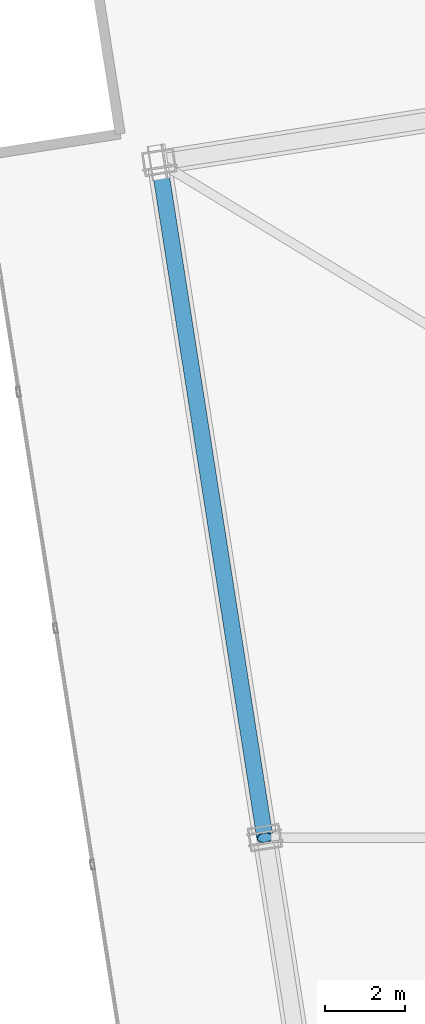
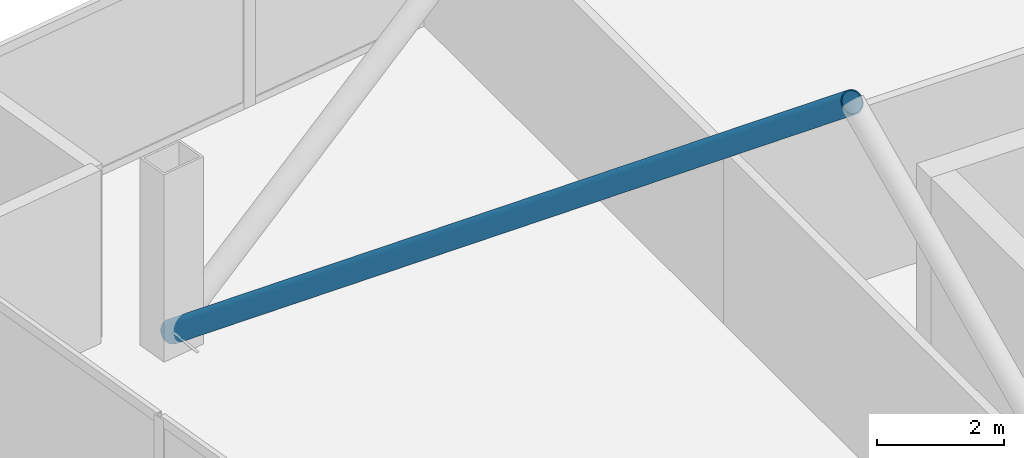
# One storey, part 7 of 21: 1 member.
"""IFC4 building model written with IfcOpenShell, lengths in metres."""

import ifcopenshell
import ifcopenshell.guid

model = None  # the IFC model being written
_history = None  # IfcOwnerHistory: only IFC2X3 demands one
_inside = {}  # id of a spatial element -> (the spatial element, [elements in it])
_under = {}  # id of a project, library or spatial element -> (it, [spatial elements below it])
_declared = {}  # id of a project -> (the project, [libraries it declares])
_typed = {}  # id of a type object -> (the type object, [elements of that type])
_made_of = {}  # id of a material, layer set ... -> (it, [elements and type objects made of it])


def new_model(schema):
    """Start an empty IFC model of exactly this schema.

    Asked for "IFC4X3", IfcOpenShell would pick the latest addendum, in which some entities
    have other attributes; the version numbers below select the first issue.
    IFC2X3 requires an IfcOwnerHistory on every rooted entity: one is made here for all.
    """
    global model, _history
    if schema == "IFC4X3":
        model = ifcopenshell.file(schema_version=(4, 3, 0, 0))
    else:
        model = ifcopenshell.file(schema=schema)
    _inside.clear()
    _under.clear()
    _declared.clear()
    _typed.clear()
    _made_of.clear()
    _history = None
    if model.schema == "IFC2X3":
        org = make("IfcOrganization", Name="unknown")
        user = make(
            "IfcPersonAndOrganization",
            ThePerson=make("IfcPerson", FamilyName="unknown"),
            TheOrganization=org,
        )
        app = make(
            "IfcApplication",
            ApplicationDeveloper=org,
            Version="unknown",
            ApplicationFullName="unknown",
            ApplicationIdentifier="unknown",
        )
        _history = make(
            "IfcOwnerHistory",
            OwningUser=user,
            OwningApplication=app,
            ChangeAction="ADDED",
            CreationDate=0,
        )
    return model


def make(cls, **values):
    """One entity of the class cls with the attributes given. An attribute that is None is left unset."""
    return model.create_entity(
        cls, **{name: value for name, value in values.items() if value is not None}
    )


def rooted(cls, **values):
    """An entity with a GlobalId (a new one), such as an element, a storey or a relation."""
    return make(cls, GlobalId=ifcopenshell.guid.new(), OwnerHistory=_history, **values)


def si_unit(unit_type, name, prefix=None):
    """IfcSIUnit, for example si_unit("LENGTHUNIT", "METRE", prefix="MILLI")."""
    return make("IfcSIUnit", UnitType=unit_type, Prefix=prefix, Name=name)


def assignment(units):
    """IfcUnitAssignment: the units of a project."""
    return None if units is None else make("IfcUnitAssignment", Units=units)


def point(xyz):
    """IfcCartesianPoint."""
    return None if xyz is None else make("IfcCartesianPoint", Coordinates=xyz)


def direction(xyz):
    """IfcDirection."""
    return None if xyz is None else make("IfcDirection", DirectionRatios=xyz)


def frame(location, z_axis=None, x_axis=None):
    """IfcAxis2Placement3D, a coordinate frame: its origin and axes. An axis left out is left unset."""
    return make(
        "IfcAxis2Placement3D",
        Location=point(location),
        Axis=direction(z_axis),
        RefDirection=direction(x_axis),
    )


def frame_2d(location, x_axis=None):
    """IfcAxis2Placement2D, a coordinate frame in the plane: its origin and x axis."""
    return make(
        "IfcAxis2Placement2D", Location=point(location), RefDirection=direction(x_axis)
    )


def origin():
    """The frame at (0, 0, 0) with its axes left unset."""
    return frame((0.0, 0.0, 0.0))


def origin_2d():
    """The frame at (0, 0) in the plane with its x axis left unset."""
    return frame_2d((0.0, 0.0))


def place(relative_to, where):
    """IfcLocalPlacement: puts the frame where relative to a parent placement (None: the world)."""
    return make(
        "IfcLocalPlacement", PlacementRelTo=relative_to, RelativePlacement=where
    )


def context(
    kind, dimensions, precision=None, world=None, true_north=None, identifier=None
):
    """IfcGeometricRepresentationContext, for example the 3D "Model" context."""
    return make(
        "IfcGeometricRepresentationContext",
        ContextIdentifier=identifier,
        ContextType=kind,
        CoordinateSpaceDimension=dimensions,
        Precision=precision,
        WorldCoordinateSystem=world,
        TrueNorth=true_north,
    )


def subcontext(parent, identifier, kind, view, scale=None):
    """IfcGeometricRepresentationSubContext, for example "Body" below "Model"."""
    return make(
        "IfcGeometricRepresentationSubContext",
        ContextIdentifier=identifier,
        ContextType=kind,
        ParentContext=parent,
        TargetScale=scale,
        TargetView=view,
    )


def project(units=None, contexts=None):
    """IfcProject with its units and contexts."""
    return rooted(
        "IfcProject",
        Name="project",
        RepresentationContexts=contexts,
        UnitsInContext=assignment(units),
    )


def spatial(cls, under=None, at=None, **own):
    """A site, building, storey or space (cls), placed at a placement, below another one or the project."""
    s = rooted(cls, ObjectPlacement=at, **own)
    if under is not None:
        _under.setdefault(under.id(), (under, []))[1].append(s)
    return s


def profile(cls, at=None, kind="AREA", **sizes):
    """A parametric profile (cls). Its sizes go by their IFC names, for example OverallWidth=200.0."""
    return make(cls, ProfileType=kind, Position=at, **sizes)


def hollow_circle(**sizes):
    """IfcCircleHollowProfileDef."""
    return profile("IfcCircleHollowProfileDef", **sizes)


def extrude(swept, where, along, depth):
    """IfcExtrudedAreaSolid: the profile swept, set in the frame where, extruded along a direction by depth."""
    return make(
        "IfcExtrudedAreaSolid",
        SweptArea=swept,
        Position=where,
        ExtrudedDirection=direction(along),
        Depth=depth,
    )


def shape(context_of_items, identifier, shape_type, items):
    """IfcShapeRepresentation: the items that make up one representation, for example the "Body"."""
    return make(
        "IfcShapeRepresentation",
        ContextOfItems=context_of_items,
        RepresentationIdentifier=identifier,
        RepresentationType=shape_type,
        Items=items,
    )


def material(Name=None, Category=None):
    """IfcMaterial."""
    return make("IfcMaterial", Name=Name, Category=Category)


def material_profile(
    of_material, cross_section, Name=None, Category=None, Priority=None
):
    """IfcMaterialProfile: a cross section and its material."""
    return make(
        "IfcMaterialProfile",
        Name=Name,
        Material=of_material,
        Profile=cross_section,
        Priority=Priority,
        Category=Category,
    )


def profile_set(profiles, Name=None, composite=None):
    """IfcMaterialProfileSet."""
    return make(
        "IfcMaterialProfileSet",
        Name=Name,
        MaterialProfiles=profiles,
        CompositeProfile=composite,
    )


def made_of(thing, what):
    """Note that an element or type object is made of a material, layer set ...; save() writes the relation."""
    if what is not None:
        _made_of.setdefault(what.id(), (what, []))[1].append(thing)
    return thing


def type_object(cls, material=None, **own):
    """A type object (cls), such as IfcWallType, which elements share."""
    return made_of(rooted(cls, **own), material)


def element(
    cls,
    number,
    at=None,
    inside=None,
    cuts=None,
    type_object=None,
    material=None,
    context=None,
    identifier="Body",
    shape_type=None,
    held_by="IfcProductDefinitionShape",
    body=None,
    shapes=None,
    **own,
):
    """One element of the class cls, such as IfcWall. Its Tag is "e" and its number.

    at: its placement. inside: the storey or other place that contains it. cuts: it is an
    opening in that element (IfcRelVoidsElement). A single representation is given by context,
    identifier, shape_type and body (its items); several are given by shapes. held_by: the class
    of the entity that holds the representations. save() writes the other relations.
    """
    e = rooted(cls, Tag="e%d" % number, ObjectPlacement=at, **own)
    if body is not None:
        shapes = [shape(context, identifier, shape_type, body)]
    if shapes is not None:
        e.Representation = make(held_by, Representations=shapes)
    if inside is not None:
        _inside.setdefault(inside.id(), (inside, []))[1].append(e)
    if cuts is not None:
        rooted(
            "IfcRelVoidsElement", RelatingBuildingElement=cuts, RelatedOpeningElement=e
        )
    if type_object is not None:
        _typed.setdefault(type_object.id(), (type_object, []))[1].append(e)
    return made_of(e, material)


def aggregate(whole, parts):
    """IfcRelAggregates: a whole, such as a stair, and the parts it consists of."""
    return rooted("IfcRelAggregates", RelatingObject=whole, RelatedObjects=parts)


def save(model, path):
    """Write the relations noted so far, then the file.

    IfcRelAggregates (storeys below a building ...), IfcRelContainedInSpatialStructure (elements
    in a storey), IfcRelDefinesByType, IfcRelAssociatesMaterial and IfcRelDeclares: one each for
    every whole, place, type object, material and project.
    """
    for whole, parts in _under.values():
        aggregate(whole, parts)
    for where, things in _inside.values():
        rooted(
            "IfcRelContainedInSpatialStructure",
            RelatedElements=things,
            RelatingStructure=where,
        )
    for kind, things in _typed.values():
        rooted("IfcRelDefinesByType", RelatedObjects=things, RelatingType=kind)
    for what, things in _made_of.values():
        rooted("IfcRelAssociatesMaterial", RelatedObjects=things, RelatingMaterial=what)
    for by, libraries in _declared.values():
        rooted("IfcRelDeclares", RelatingContext=by, RelatedDefinitions=libraries)
    model.write(path)


model = new_model("IFC4")

# Units and contexts
model_context = context("Model", 3, precision=1e-05, world=origin(), true_north=direction((0.0, 1.0)))
body_context = subcontext(model_context, "Body", "Model", "MODEL_VIEW")
ifc_project = project(units=[si_unit("LENGTHUNIT", "METRE"), si_unit("AREAUNIT", "SQUARE_METRE"), si_unit("VOLUMEUNIT", "CUBIC_METRE"), si_unit("PLANEANGLEUNIT", "RADIAN"), si_unit("MASSUNIT", "GRAM", prefix="KILO")], contexts=[model_context])

# Site, building, storey
site_placement = place(None, origin())
site = spatial("IfcSite", under=ifc_project, at=site_placement, CompositionType="ELEMENT")
building_placement = place(site_placement, origin())
building = spatial("IfcBuilding", under=site, at=building_placement, Name="Haldenkirk Collegiate Tower", CompositionType="ELEMENT")
storey_placement = place(building_placement, frame((0.0, 0.0, 360.60009765625)))
storey = spatial("IfcBuildingStorey", under=building, at=storey_placement, Name="L91", CompositionType="ELEMENT", Elevation=360.60009765625)

# Member
ifc_material = material(Name="Steel ASTM A572 Grade 50", Category="steel")
ifc_material_profile = material_profile(ifc_material, hollow_circle(Radius=0.202880859375, WallThickness=0.02001953125, at=origin_2d()), Name="CHS406X20")
ifc_profile_set = profile_set([ifc_material_profile], Name="Steel ASTM A572 Grade 50")
member_type = type_object("IfcMemberType", Name="MBR-CROWNBRACE-CHS406", PredefinedType="BRACE", material=ifc_profile_set)
member_placement = place(storey_placement, frame((16.715087890625, 40.23779296875, 0.25), z_axis=(0.120596073371, -0.770145009101, 0.626365110814), x_axis=(0.987960927819, 0.154703604037, 0.0)))
element("IfcMember", 1, at=member_placement, inside=storey, type_object=member_type, Name="Crown Ring Frame diagonal brace N1", PredefinedType="BRACE", context=body_context, shape_type="SweptSolid", body=[
    extrude(hollow_circle(Radius=0.202880859375, WallThickness=0.02001953125, at=origin_2d()), origin(), (0.0, 0.0, 1.0), 21.8720703125),
])

save(model, "model.ifc")
